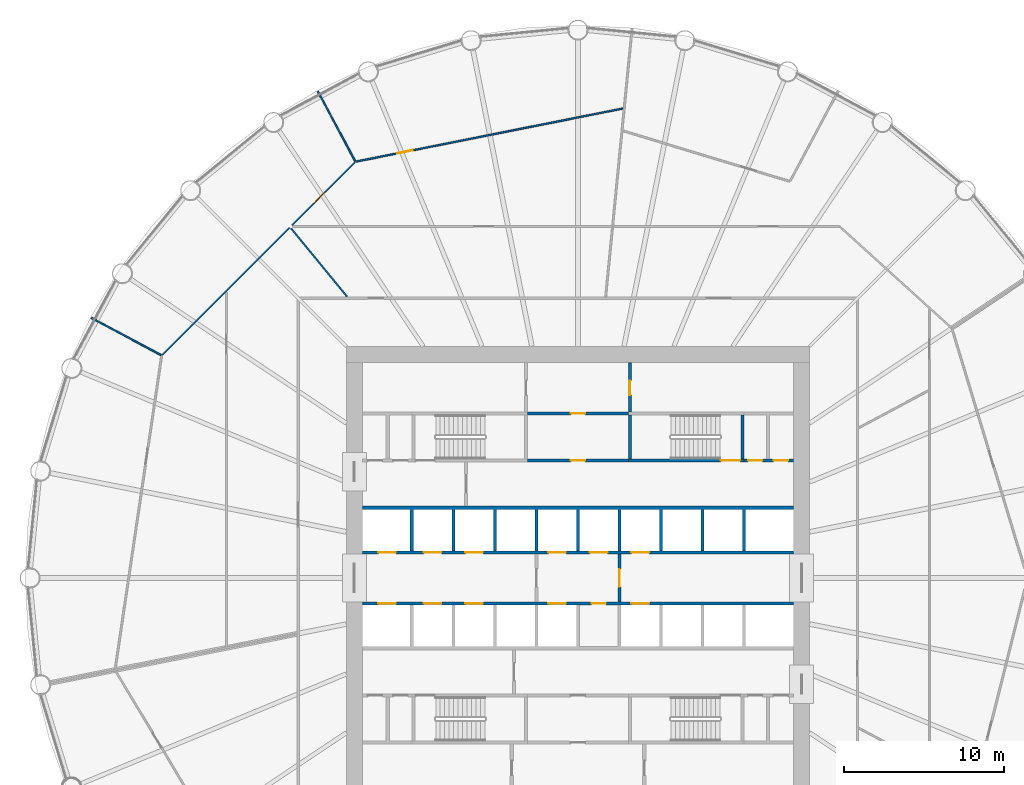
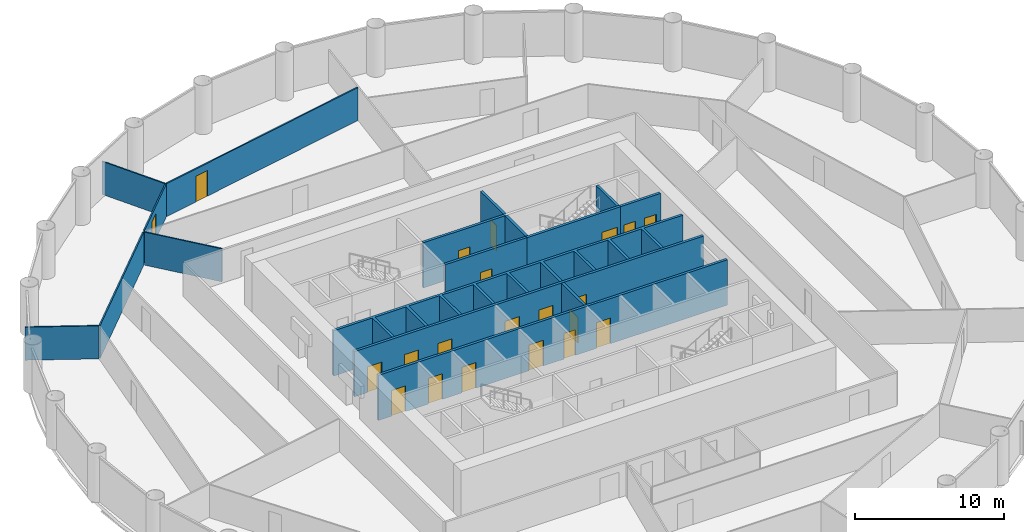
# One storey, part 6 of 8: 21 doors, 17 walls, 21 openings.
"""IFC4 building model written with IfcOpenShell, lengths in metres."""

import ifcopenshell
import ifcopenshell.guid

model = None  # the IFC model being written
_history = None  # IfcOwnerHistory: only IFC2X3 demands one
_inside = {}  # id of a spatial element -> (the spatial element, [elements in it])
_under = {}  # id of a project, library or spatial element -> (it, [spatial elements below it])
_declared = {}  # id of a project -> (the project, [libraries it declares])
_typed = {}  # id of a type object -> (the type object, [elements of that type])
_made_of = {}  # id of a material, layer set ... -> (it, [elements and type objects made of it])


def new_model(schema):
    """Start an empty IFC model of exactly this schema.

    Asked for "IFC4X3", IfcOpenShell would pick the latest addendum, in which some entities
    have other attributes; the version numbers below select the first issue.
    IFC2X3 requires an IfcOwnerHistory on every rooted entity: one is made here for all.
    """
    global model, _history
    if schema == "IFC4X3":
        model = ifcopenshell.file(schema_version=(4, 3, 0, 0))
    else:
        model = ifcopenshell.file(schema=schema)
    _inside.clear()
    _under.clear()
    _declared.clear()
    _typed.clear()
    _made_of.clear()
    _history = None
    if model.schema == "IFC2X3":
        org = make("IfcOrganization", Name="unknown")
        user = make(
            "IfcPersonAndOrganization",
            ThePerson=make("IfcPerson", FamilyName="unknown"),
            TheOrganization=org,
        )
        app = make(
            "IfcApplication",
            ApplicationDeveloper=org,
            Version="unknown",
            ApplicationFullName="unknown",
            ApplicationIdentifier="unknown",
        )
        _history = make(
            "IfcOwnerHistory",
            OwningUser=user,
            OwningApplication=app,
            ChangeAction="ADDED",
            CreationDate=0,
        )
    return model


def make(cls, **values):
    """One entity of the class cls with the attributes given. An attribute that is None is left unset."""
    return model.create_entity(
        cls, **{name: value for name, value in values.items() if value is not None}
    )


def rooted(cls, **values):
    """An entity with a GlobalId (a new one), such as an element, a storey or a relation."""
    return make(cls, GlobalId=ifcopenshell.guid.new(), OwnerHistory=_history, **values)


def si_unit(unit_type, name, prefix=None):
    """IfcSIUnit, for example si_unit("LENGTHUNIT", "METRE", prefix="MILLI")."""
    return make("IfcSIUnit", UnitType=unit_type, Prefix=prefix, Name=name)


def assignment(units):
    """IfcUnitAssignment: the units of a project."""
    return None if units is None else make("IfcUnitAssignment", Units=units)


def point(xyz):
    """IfcCartesianPoint."""
    return None if xyz is None else make("IfcCartesianPoint", Coordinates=xyz)


def direction(xyz):
    """IfcDirection."""
    return None if xyz is None else make("IfcDirection", DirectionRatios=xyz)


def frame(location, z_axis=None, x_axis=None):
    """IfcAxis2Placement3D, a coordinate frame: its origin and axes. An axis left out is left unset."""
    return make(
        "IfcAxis2Placement3D",
        Location=point(location),
        Axis=direction(z_axis),
        RefDirection=direction(x_axis),
    )


def frame_2d(location, x_axis=None):
    """IfcAxis2Placement2D, a coordinate frame in the plane: its origin and x axis."""
    return make(
        "IfcAxis2Placement2D", Location=point(location), RefDirection=direction(x_axis)
    )


def origin():
    """The frame at (0, 0, 0) with its axes left unset."""
    return frame((0.0, 0.0, 0.0))


def place(relative_to, where):
    """IfcLocalPlacement: puts the frame where relative to a parent placement (None: the world)."""
    return make(
        "IfcLocalPlacement", PlacementRelTo=relative_to, RelativePlacement=where
    )


def context(
    kind, dimensions, precision=None, world=None, true_north=None, identifier=None
):
    """IfcGeometricRepresentationContext, for example the 3D "Model" context."""
    return make(
        "IfcGeometricRepresentationContext",
        ContextIdentifier=identifier,
        ContextType=kind,
        CoordinateSpaceDimension=dimensions,
        Precision=precision,
        WorldCoordinateSystem=world,
        TrueNorth=true_north,
    )


def subcontext(parent, identifier, kind, view, scale=None):
    """IfcGeometricRepresentationSubContext, for example "Body" below "Model"."""
    return make(
        "IfcGeometricRepresentationSubContext",
        ContextIdentifier=identifier,
        ContextType=kind,
        ParentContext=parent,
        TargetScale=scale,
        TargetView=view,
    )


def project(units=None, contexts=None):
    """IfcProject with its units and contexts."""
    return rooted(
        "IfcProject",
        Name="project",
        RepresentationContexts=contexts,
        UnitsInContext=assignment(units),
    )


def spatial(cls, under=None, at=None, **own):
    """A site, building, storey or space (cls), placed at a placement, below another one or the project."""
    s = rooted(cls, ObjectPlacement=at, **own)
    if under is not None:
        _under.setdefault(under.id(), (under, []))[1].append(s)
    return s


def polyline(points):
    """IfcPolyline through the points."""
    return make("IfcPolyline", Points=[point(p) for p in points])


def profile(cls, at=None, kind="AREA", **sizes):
    """A parametric profile (cls). Its sizes go by their IFC names, for example OverallWidth=200.0."""
    return make(cls, ProfileType=kind, Position=at, **sizes)


def rectangle(**sizes):
    """IfcRectangleProfileDef."""
    return profile("IfcRectangleProfileDef", **sizes)


def outline(outer, holes=None, kind="AREA"):
    """IfcArbitraryClosedProfileDef: a profile drawn as a closed curve; with holes, ...WithVoids."""
    if holes is None:
        return make("IfcArbitraryClosedProfileDef", ProfileType=kind, OuterCurve=outer)
    return make(
        "IfcArbitraryProfileDefWithVoids",
        ProfileType=kind,
        OuterCurve=outer,
        InnerCurves=holes,
    )


def extrude(swept, where, along, depth):
    """IfcExtrudedAreaSolid: the profile swept, set in the frame where, extruded along a direction by depth."""
    return make(
        "IfcExtrudedAreaSolid",
        SweptArea=swept,
        Position=where,
        ExtrudedDirection=direction(along),
        Depth=depth,
    )


def shape(context_of_items, identifier, shape_type, items):
    """IfcShapeRepresentation: the items that make up one representation, for example the "Body"."""
    return make(
        "IfcShapeRepresentation",
        ContextOfItems=context_of_items,
        RepresentationIdentifier=identifier,
        RepresentationType=shape_type,
        Items=items,
    )


def material(Name=None, Category=None):
    """IfcMaterial."""
    return make("IfcMaterial", Name=Name, Category=Category)


def layer(
    of_material, thickness, ventilated=None, Name=None, Category=None, Priority=None
):
    """IfcMaterialLayer: one layer of a wall or slab, of a material (None: an air gap)."""
    return make(
        "IfcMaterialLayer",
        Material=of_material,
        LayerThickness=thickness,
        IsVentilated=ventilated,
        Name=Name,
        Category=Category,
        Priority=Priority,
    )


def layer_set(layers, Name=None):
    """IfcMaterialLayerSet."""
    return make("IfcMaterialLayerSet", MaterialLayers=layers, LayerSetName=Name)


def made_of(thing, what):
    """Note that an element or type object is made of a material, layer set ...; save() writes the relation."""
    if what is not None:
        _made_of.setdefault(what.id(), (what, []))[1].append(thing)
    return thing


def type_object(cls, material=None, **own):
    """A type object (cls), such as IfcWallType, which elements share."""
    return made_of(rooted(cls, **own), material)


def element(
    cls,
    number,
    at=None,
    inside=None,
    cuts=None,
    type_object=None,
    material=None,
    context=None,
    identifier="Body",
    shape_type=None,
    held_by="IfcProductDefinitionShape",
    body=None,
    shapes=None,
    **own,
):
    """One element of the class cls, such as IfcWall. Its Tag is "e" and its number.

    at: its placement. inside: the storey or other place that contains it. cuts: it is an
    opening in that element (IfcRelVoidsElement). A single representation is given by context,
    identifier, shape_type and body (its items); several are given by shapes. held_by: the class
    of the entity that holds the representations. save() writes the other relations.
    """
    e = rooted(cls, Tag="e%d" % number, ObjectPlacement=at, **own)
    if body is not None:
        shapes = [shape(context, identifier, shape_type, body)]
    if shapes is not None:
        e.Representation = make(held_by, Representations=shapes)
    if inside is not None:
        _inside.setdefault(inside.id(), (inside, []))[1].append(e)
    if cuts is not None:
        rooted(
            "IfcRelVoidsElement", RelatingBuildingElement=cuts, RelatedOpeningElement=e
        )
    if type_object is not None:
        _typed.setdefault(type_object.id(), (type_object, []))[1].append(e)
    return made_of(e, material)


def fill(opening, filler):
    """IfcRelFillsElement: the door or window that sits in an opening."""
    return rooted(
        "IfcRelFillsElement",
        RelatingOpeningElement=opening,
        RelatedBuildingElement=filler,
    )


def aggregate(whole, parts):
    """IfcRelAggregates: a whole, such as a stair, and the parts it consists of."""
    return rooted("IfcRelAggregates", RelatingObject=whole, RelatedObjects=parts)


def save(model, path):
    """Write the relations noted so far, then the file.

    IfcRelAggregates (storeys below a building ...), IfcRelContainedInSpatialStructure (elements
    in a storey), IfcRelDefinesByType, IfcRelAssociatesMaterial and IfcRelDeclares: one each for
    every whole, place, type object, material and project.
    """
    for whole, parts in _under.values():
        aggregate(whole, parts)
    for where, things in _inside.values():
        rooted(
            "IfcRelContainedInSpatialStructure",
            RelatedElements=things,
            RelatingStructure=where,
        )
    for kind, things in _typed.values():
        rooted("IfcRelDefinesByType", RelatedObjects=things, RelatingType=kind)
    for what, things in _made_of.values():
        rooted("IfcRelAssociatesMaterial", RelatedObjects=things, RelatingMaterial=what)
    for by, libraries in _declared.values():
        rooted("IfcRelDeclares", RelatingContext=by, RelatedDefinitions=libraries)
    model.write(path)


model = new_model("IFC4")

# Units and contexts
model_context = context("Model", 3, precision=1e-05, world=origin(), true_north=direction((0.0, 1.0)))
body_context = subcontext(model_context, "Body", "Model", "MODEL_VIEW")
ifc_project = project(units=[si_unit("LENGTHUNIT", "METRE"), si_unit("AREAUNIT", "SQUARE_METRE"), si_unit("VOLUMEUNIT", "CUBIC_METRE"), si_unit("PLANEANGLEUNIT", "RADIAN"), si_unit("MASSUNIT", "GRAM", prefix="KILO")], contexts=[model_context])

# Site, building, storey
site_placement = place(None, origin())
site = spatial("IfcSite", under=ifc_project, at=site_placement, CompositionType="ELEMENT")
building_placement = place(site_placement, origin())
building = spatial("IfcBuilding", under=site, at=building_placement, Name="Corvane Civic Tower", CompositionType="ELEMENT")
storey_placement = place(building_placement, frame((0.0, 0.0, 122.5)))
storey = spatial("IfcBuildingStorey", under=building, at=storey_placement, Name="L28", CompositionType="ELEMENT", Elevation=122.5)

# Wall, openings, doors
ifc_material_1 = material(Name="Concrete C30/37", Category="concrete")
ifc_layer_1 = layer(ifc_material_1, 0.199951171875)
ifc_layer_set_1 = layer_set([ifc_layer_1], Name="Concrete C30/37")
wall_type_1 = type_object("IfcWallType", Name="CR-WALL-200", PredefinedType="PARTITIONING", material=ifc_layer_set_1)
wall_1_placement = place(storey_placement, frame((-13.5, -1.60009765625, 0.0), z_axis=(0.0, 0.0, 1.0), x_axis=(1.0, 0.0, 0.0)))
wall_1 = element("IfcWall", 1, at=wall_1_placement, inside=storey, type_object=wall_type_1, Name="L28 lift shaft wall", PredefinedType="PARTITIONING", context=body_context, shape_type="SweptSolid", body=[
    extrude(rectangle(XDim=27.0, YDim=0.199951171875, at=frame_2d((13.5, 0.0))), origin(), (0.0, 0.0, 1.0), 3.699951171875),
])
opening_1_placement = place(wall_1_placement, frame((1.0, 0.0, 0.0)))
opening_1 = element("IfcOpeningElement", 2, at=opening_1_placement, cuts=wall_1, Name="Opening LD", PredefinedType="OPENING", context=body_context, shape_type="SweptSolid", body=[
    extrude(rectangle(XDim=1.10009765625, YDim=2.10009765625, at=frame_2d((0.550048828125, 1.050048828125))), frame((0.0, 0.10986328125, 0.0), z_axis=(0.0, -1.0, 0.0), x_axis=(1.0, 0.0, 0.0)), (0.0, 0.0, 1.0), 0.219970703125),
])
opening_2_placement = place(wall_1_placement, frame((3.85009765625, 0.0, 0.0)))
opening_2 = element("IfcOpeningElement", 3, at=opening_2_placement, cuts=wall_1, Name="Opening LD", PredefinedType="OPENING", context=body_context, shape_type="SweptSolid", body=[
    extrude(rectangle(XDim=1.10009765625, YDim=2.10009765625, at=frame_2d((0.550048828125, 1.050048828125))), frame((0.0, 0.10986328125, 0.0), z_axis=(0.0, -1.0, 0.0), x_axis=(1.0, 0.0, 0.0)), (0.0, 0.0, 1.0), 0.219970703125),
])
opening_3_placement = place(wall_1_placement, frame((6.449951171875, 0.0, 0.0)))
opening_3 = element("IfcOpeningElement", 4, at=opening_3_placement, cuts=wall_1, Name="Opening LD", PredefinedType="OPENING", context=body_context, shape_type="SweptSolid", body=[
    extrude(rectangle(XDim=1.10009765625, YDim=2.10009765625, at=frame_2d((0.550048828125, 1.050048828125))), frame((0.0, 0.10986328125, 0.0), z_axis=(0.0, -1.0, 0.0), x_axis=(1.0, 0.0, 0.0)), (0.0, 0.0, 1.0), 0.219970703125),
])
opening_4_placement = place(wall_1_placement, frame((11.64990234375, 0.0, 0.0)))
opening_4 = element("IfcOpeningElement", 5, at=opening_4_placement, cuts=wall_1, Name="Opening LD", PredefinedType="OPENING", context=body_context, shape_type="SweptSolid", body=[
    extrude(rectangle(XDim=1.10009765625, YDim=2.10009765625, at=frame_2d((0.550048828125, 1.050048828125))), frame((0.0, 0.10986328125, 0.0), z_axis=(0.0, -1.0, 0.0), x_axis=(1.0, 0.0, 0.0)), (0.0, 0.0, 1.0), 0.219970703125),
])
opening_5_placement = place(wall_1_placement, frame((14.35009765625, 0.0, 0.0)))
opening_5 = element("IfcOpeningElement", 6, at=opening_5_placement, cuts=wall_1, Name="Opening L28.C01", PredefinedType="OPENING", context=body_context, shape_type="SweptSolid", body=[
    extrude(rectangle(XDim=0.89990234375, YDim=2.10009765625, at=frame_2d((0.449951171875, 1.050048828125))), frame((0.0, 0.10986328125, 0.0), z_axis=(0.0, -1.0, 0.0), x_axis=(1.0, 0.0, 0.0)), (0.0, 0.0, 1.0), 0.219970703125),
])
opening_6_placement = place(wall_1_placement, frame((16.85009765625, 0.0, 0.0)))
opening_6 = element("IfcOpeningElement", 7, at=opening_6_placement, cuts=wall_1, Name="Opening LD", PredefinedType="OPENING", context=body_context, shape_type="SweptSolid", body=[
    extrude(rectangle(XDim=1.10009765625, YDim=2.10009765625, at=frame_2d((0.550048828125, 1.050048828125))), frame((0.0, 0.10986328125, 0.0), z_axis=(0.0, -1.0, 0.0), x_axis=(1.0, 0.0, 0.0)), (0.0, 0.0, 1.0), 0.219970703125),
])
ifc_material_2 = material(Name="Steel fire door leaf", Category="steel")
door_type_1 = type_object("IfcDoorType", Name="CR-DOOR-900", OperationType="SINGLE_SWING_LEFT", PredefinedType="DOOR", material=ifc_material_2)
door_1_placement = place(opening_5_placement, origin())
door_1 = element("IfcDoor", 8, at=door_1_placement, inside=storey, type_object=door_type_1, Name="L28 door", OperationType="SINGLE_SWING_LEFT", OverallHeight=2.10009765625, OverallWidth=0.89990234375, PredefinedType="DOOR", context=body_context, shape_type="SweptSolid", body=[
    extrude(rectangle(XDim=0.89990234375, YDim=2.10009765625, at=frame_2d((0.449951171875, 1.050048828125))), frame((0.0, 0.02490234375, 0.0), z_axis=(0.0, -1.0, 0.0), x_axis=(1.0, 0.0, 0.0)), (0.0, 0.0, 1.0), 0.050048828125),
])
fill(opening_5, door_1)
ifc_material_3 = material(Name="Stainless steel 316 door leaves", Category="steel")
door_type_2 = type_object("IfcDoorType", Name="LD", OperationType="DOUBLE_DOOR_SLIDING", PredefinedType="DOOR", material=ifc_material_3)
door_2_placement = place(opening_1_placement, origin())
door_2 = element("IfcDoor", 9, at=door_2_placement, inside=storey, type_object=door_type_2, Name="L28 landing door", OperationType="DOUBLE_DOOR_SLIDING", OverallHeight=2.10009765625, OverallWidth=1.10009765625, PredefinedType="DOOR", context=body_context, shape_type="SweptSolid", body=[
    extrude(rectangle(XDim=1.10009765625, YDim=2.10009765625, at=frame_2d((0.550048828125, 1.050048828125))), frame((0.0, 0.02490234375, 0.0), z_axis=(0.0, -1.0, 0.0), x_axis=(1.0, 0.0, 0.0)), (0.0, 0.0, 1.0), 0.050048828125),
])
fill(opening_1, door_2)
door_3_placement = place(opening_2_placement, origin())
door_3 = element("IfcDoor", 10, at=door_3_placement, inside=storey, type_object=door_type_2, Name="L28 landing door", OperationType="DOUBLE_DOOR_SLIDING", OverallHeight=2.10009765625, OverallWidth=1.10009765625, PredefinedType="DOOR", context=body_context, shape_type="SweptSolid", body=[
    extrude(rectangle(XDim=1.10009765625, YDim=2.10009765625, at=frame_2d((0.550048828125, 1.050048828125))), frame((0.0, 0.02490234375, 0.0), z_axis=(0.0, -1.0, 0.0), x_axis=(1.0, 0.0, 0.0)), (0.0, 0.0, 1.0), 0.050048828125),
])
fill(opening_2, door_3)
door_4_placement = place(opening_3_placement, origin())
door_4 = element("IfcDoor", 11, at=door_4_placement, inside=storey, type_object=door_type_2, Name="L28 landing door", OperationType="DOUBLE_DOOR_SLIDING", OverallHeight=2.10009765625, OverallWidth=1.10009765625, PredefinedType="DOOR", context=body_context, shape_type="SweptSolid", body=[
    extrude(rectangle(XDim=1.10009765625, YDim=2.10009765625, at=frame_2d((0.550048828125, 1.050048828125))), frame((0.0, 0.02490234375, 0.0), z_axis=(0.0, -1.0, 0.0), x_axis=(1.0, 0.0, 0.0)), (0.0, 0.0, 1.0), 0.050048828125),
])
fill(opening_3, door_4)
door_5_placement = place(opening_4_placement, origin())
door_5 = element("IfcDoor", 12, at=door_5_placement, inside=storey, type_object=door_type_2, Name="L28 landing door", OperationType="DOUBLE_DOOR_SLIDING", OverallHeight=2.10009765625, OverallWidth=1.10009765625, PredefinedType="DOOR", context=body_context, shape_type="SweptSolid", body=[
    extrude(rectangle(XDim=1.10009765625, YDim=2.10009765625, at=frame_2d((0.550048828125, 1.050048828125))), frame((0.0, 0.02490234375, 0.0), z_axis=(0.0, -1.0, 0.0), x_axis=(1.0, 0.0, 0.0)), (0.0, 0.0, 1.0), 0.050048828125),
])
fill(opening_4, door_5)
door_6_placement = place(opening_6_placement, origin())
door_6 = element("IfcDoor", 13, at=door_6_placement, inside=storey, type_object=door_type_2, Name="L28 landing door", OperationType="DOUBLE_DOOR_SLIDING", OverallHeight=2.10009765625, OverallWidth=1.10009765625, PredefinedType="DOOR", context=body_context, shape_type="SweptSolid", body=[
    extrude(rectangle(XDim=1.10009765625, YDim=2.10009765625, at=frame_2d((0.550048828125, 1.050048828125))), frame((0.0, 0.02490234375, 0.0), z_axis=(0.0, -1.0, 0.0), x_axis=(1.0, 0.0, 0.0)), (0.0, 0.0, 1.0), 0.050048828125),
])
fill(opening_6, door_6)

wall_2_placement = place(storey_placement, frame((-13.5, 1.60009765625, 0.0), z_axis=(0.0, 0.0, 1.0), x_axis=(1.0, 0.0, 0.0)))
wall_2 = element("IfcWall", 14, at=wall_2_placement, inside=storey, type_object=wall_type_1, Name="L28 lift shaft wall", PredefinedType="PARTITIONING", context=body_context, shape_type="SweptSolid", body=[
    extrude(rectangle(XDim=27.0, YDim=0.199951171875, at=frame_2d((13.5, 0.0))), origin(), (0.0, 0.0, 1.0), 3.699951171875),
])
opening_7_placement = place(wall_2_placement, frame((1.0, 0.0, 0.0)))
opening_7 = element("IfcOpeningElement", 15, at=opening_7_placement, cuts=wall_2, Name="Opening LD", PredefinedType="OPENING", context=body_context, shape_type="SweptSolid", body=[
    extrude(rectangle(XDim=1.10009765625, YDim=2.10009765625, at=frame_2d((0.550048828125, 1.050048828125))), frame((0.0, 0.10986328125, 0.0), z_axis=(0.0, -1.0, 0.0), x_axis=(1.0, 0.0, 0.0)), (0.0, 0.0, 1.0), 0.219970703125),
])
opening_8_placement = place(wall_2_placement, frame((3.85009765625, 0.0, 0.0)))
opening_8 = element("IfcOpeningElement", 16, at=opening_8_placement, cuts=wall_2, Name="Opening LD", PredefinedType="OPENING", context=body_context, shape_type="SweptSolid", body=[
    extrude(rectangle(XDim=1.10009765625, YDim=2.10009765625, at=frame_2d((0.550048828125, 1.050048828125))), frame((0.0, 0.10986328125, 0.0), z_axis=(0.0, -1.0, 0.0), x_axis=(1.0, 0.0, 0.0)), (0.0, 0.0, 1.0), 0.219970703125),
])
opening_9_placement = place(wall_2_placement, frame((6.449951171875, 0.0, 0.0)))
opening_9 = element("IfcOpeningElement", 17, at=opening_9_placement, cuts=wall_2, Name="Opening LD", PredefinedType="OPENING", context=body_context, shape_type="SweptSolid", body=[
    extrude(rectangle(XDim=1.10009765625, YDim=2.10009765625, at=frame_2d((0.550048828125, 1.050048828125))), frame((0.0, 0.10986328125, 0.0), z_axis=(0.0, -1.0, 0.0), x_axis=(1.0, 0.0, 0.0)), (0.0, 0.0, 1.0), 0.219970703125),
])
opening_10_placement = place(wall_2_placement, frame((11.64990234375, 0.0, 0.0)))
opening_10 = element("IfcOpeningElement", 18, at=opening_10_placement, cuts=wall_2, Name="Opening LD", PredefinedType="OPENING", context=body_context, shape_type="SweptSolid", body=[
    extrude(rectangle(XDim=1.10009765625, YDim=2.10009765625, at=frame_2d((0.550048828125, 1.050048828125))), frame((0.0, 0.10986328125, 0.0), z_axis=(0.0, -1.0, 0.0), x_axis=(1.0, 0.0, 0.0)), (0.0, 0.0, 1.0), 0.219970703125),
])
opening_11_placement = place(wall_2_placement, frame((14.25, 0.0, 0.0)))
opening_11 = element("IfcOpeningElement", 19, at=opening_11_placement, cuts=wall_2, Name="Opening LD", PredefinedType="OPENING", context=body_context, shape_type="SweptSolid", body=[
    extrude(rectangle(XDim=1.10009765625, YDim=2.10009765625, at=frame_2d((0.550048828125, 1.050048828125))), frame((0.0, 0.10986328125, 0.0), z_axis=(0.0, -1.0, 0.0), x_axis=(1.0, 0.0, 0.0)), (0.0, 0.0, 1.0), 0.219970703125),
])
opening_12_placement = place(wall_2_placement, frame((16.85009765625, 0.0, 0.0)))
opening_12 = element("IfcOpeningElement", 20, at=opening_12_placement, cuts=wall_2, Name="Opening LD", PredefinedType="OPENING", context=body_context, shape_type="SweptSolid", body=[
    extrude(rectangle(XDim=1.10009765625, YDim=2.10009765625, at=frame_2d((0.550048828125, 1.050048828125))), frame((0.0, 0.10986328125, 0.0), z_axis=(0.0, -1.0, 0.0), x_axis=(1.0, 0.0, 0.0)), (0.0, 0.0, 1.0), 0.219970703125),
])
door_7_placement = place(opening_7_placement, origin())
door_7 = element("IfcDoor", 21, at=door_7_placement, inside=storey, type_object=door_type_2, Name="L28 landing door", OperationType="DOUBLE_DOOR_SLIDING", OverallHeight=2.10009765625, OverallWidth=1.10009765625, PredefinedType="DOOR", context=body_context, shape_type="SweptSolid", body=[
    extrude(rectangle(XDim=1.10009765625, YDim=2.10009765625, at=frame_2d((0.550048828125, 1.050048828125))), frame((0.0, 0.02490234375, 0.0), z_axis=(0.0, -1.0, 0.0), x_axis=(1.0, 0.0, 0.0)), (0.0, 0.0, 1.0), 0.050048828125),
])
fill(opening_7, door_7)
door_8_placement = place(opening_8_placement, origin())
door_8 = element("IfcDoor", 22, at=door_8_placement, inside=storey, type_object=door_type_2, Name="L28 landing door", OperationType="DOUBLE_DOOR_SLIDING", OverallHeight=2.10009765625, OverallWidth=1.10009765625, PredefinedType="DOOR", context=body_context, shape_type="SweptSolid", body=[
    extrude(rectangle(XDim=1.10009765625, YDim=2.10009765625, at=frame_2d((0.550048828125, 1.050048828125))), frame((0.0, 0.02490234375, 0.0), z_axis=(0.0, -1.0, 0.0), x_axis=(1.0, 0.0, 0.0)), (0.0, 0.0, 1.0), 0.050048828125),
])
fill(opening_8, door_8)
door_9_placement = place(opening_9_placement, origin())
door_9 = element("IfcDoor", 23, at=door_9_placement, inside=storey, type_object=door_type_2, Name="L28 landing door", OperationType="DOUBLE_DOOR_SLIDING", OverallHeight=2.10009765625, OverallWidth=1.10009765625, PredefinedType="DOOR", context=body_context, shape_type="SweptSolid", body=[
    extrude(rectangle(XDim=1.10009765625, YDim=2.10009765625, at=frame_2d((0.550048828125, 1.050048828125))), frame((0.0, 0.02490234375, 0.0), z_axis=(0.0, -1.0, 0.0), x_axis=(1.0, 0.0, 0.0)), (0.0, 0.0, 1.0), 0.050048828125),
])
fill(opening_9, door_9)
door_10_placement = place(opening_10_placement, origin())
door_10 = element("IfcDoor", 24, at=door_10_placement, inside=storey, type_object=door_type_2, Name="L28 landing door", OperationType="DOUBLE_DOOR_SLIDING", OverallHeight=2.10009765625, OverallWidth=1.10009765625, PredefinedType="DOOR", context=body_context, shape_type="SweptSolid", body=[
    extrude(rectangle(XDim=1.10009765625, YDim=2.10009765625, at=frame_2d((0.550048828125, 1.050048828125))), frame((0.0, 0.02490234375, 0.0), z_axis=(0.0, -1.0, 0.0), x_axis=(1.0, 0.0, 0.0)), (0.0, 0.0, 1.0), 0.050048828125),
])
fill(opening_10, door_10)
door_11_placement = place(opening_11_placement, origin())
door_11 = element("IfcDoor", 25, at=door_11_placement, inside=storey, type_object=door_type_2, Name="L28 landing door", OperationType="DOUBLE_DOOR_SLIDING", OverallHeight=2.10009765625, OverallWidth=1.10009765625, PredefinedType="DOOR", context=body_context, shape_type="SweptSolid", body=[
    extrude(rectangle(XDim=1.10009765625, YDim=2.10009765625, at=frame_2d((0.550048828125, 1.050048828125))), frame((0.0, 0.02490234375, 0.0), z_axis=(0.0, -1.0, 0.0), x_axis=(1.0, 0.0, 0.0)), (0.0, 0.0, 1.0), 0.050048828125),
])
fill(opening_11, door_11)
door_12_placement = place(opening_12_placement, origin())
door_12 = element("IfcDoor", 26, at=door_12_placement, inside=storey, type_object=door_type_2, Name="L28 landing door", OperationType="DOUBLE_DOOR_SLIDING", OverallHeight=2.10009765625, OverallWidth=1.10009765625, PredefinedType="DOOR", context=body_context, shape_type="SweptSolid", body=[
    extrude(rectangle(XDim=1.10009765625, YDim=2.10009765625, at=frame_2d((0.550048828125, 1.050048828125))), frame((0.0, 0.02490234375, 0.0), z_axis=(0.0, -1.0, 0.0), x_axis=(1.0, 0.0, 0.0)), (0.0, 0.0, 1.0), 0.050048828125),
])
fill(opening_12, door_12)

# Wall, opening, door
wall_3_placement = place(storey_placement, frame((-3.14990234375, 7.35009765625, 0.0), z_axis=(0.0, 0.0, 1.0), x_axis=(1.0, 0.0, 0.0)))
wall_3 = element("IfcWall", 27, at=wall_3_placement, inside=storey, type_object=wall_type_1, Name="L28 core partition wall", PredefinedType="PARTITIONING", context=body_context, shape_type="SweptSolid", body=[
    extrude(rectangle(XDim=6.2998046875, YDim=0.199951171875, at=frame_2d((3.14990234375, 0.0))), origin(), (0.0, 0.0, 1.0), 3.699951171875),
])
opening_13_placement = place(wall_3_placement, frame((2.699951171875, 0.0, 0.0)))
opening_13 = element("IfcOpeningElement", 28, at=opening_13_placement, cuts=wall_3, Name="Opening L28.C02", PredefinedType="OPENING", context=body_context, shape_type="SweptSolid", body=[
    extrude(rectangle(XDim=0.89990234375, YDim=2.10009765625, at=frame_2d((0.449951171875, 1.050048828125))), frame((0.0, 0.10986328125, 0.0), z_axis=(0.0, -1.0, 0.0), x_axis=(1.0, 0.0, 0.0)), (0.0, 0.0, 1.0), 0.219970703125),
])
door_13_placement = place(opening_13_placement, origin())
door_13 = element("IfcDoor", 29, at=door_13_placement, inside=storey, type_object=door_type_1, Name="L28 door", OperationType="SINGLE_SWING_LEFT", OverallHeight=2.10009765625, OverallWidth=0.89990234375, PredefinedType="DOOR", context=body_context, shape_type="SweptSolid", body=[
    extrude(rectangle(XDim=0.89990234375, YDim=2.10009765625, at=frame_2d((0.449951171875, 1.050048828125))), frame((0.0, 0.02490234375, 0.0), z_axis=(0.0, -1.0, 0.0), x_axis=(1.0, 0.0, 0.0)), (0.0, 0.0, 1.0), 0.050048828125),
])
fill(opening_13, door_13)

# Wall, openings, doors
wall_4_placement = place(storey_placement, frame((10.39990234375, 7.35009765625, 0.0), z_axis=(0.0, 0.0, 1.0), x_axis=(1.0, 0.0, 0.0)))
wall_4 = element("IfcWall", 30, at=wall_4_placement, inside=storey, type_object=wall_type_1, Name="L28 core partition wall", PredefinedType="PARTITIONING", context=body_context, shape_type="SweptSolid", body=[
    extrude(rectangle(XDim=3.10009765625, YDim=0.199951171875, at=frame_2d((1.550048828125, 0.0))), origin(), (0.0, 0.0, 1.0), 3.699951171875),
])
opening_14_placement = place(wall_4_placement, frame((0.25, 0.0, 0.0)))
opening_14 = element("IfcOpeningElement", 31, at=opening_14_placement, cuts=wall_4, Name="Opening L28.C14", PredefinedType="OPENING", context=body_context, shape_type="SweptSolid", body=[
    extrude(rectangle(XDim=0.89990234375, YDim=2.10009765625, at=frame_2d((0.449951171875, 1.050048828125))), frame((0.0, 0.10986328125, 0.0), z_axis=(0.0, -1.0, 0.0), x_axis=(1.0, 0.0, 0.0)), (0.0, 0.0, 1.0), 0.219970703125),
])
opening_15_placement = place(wall_4_placement, frame((1.85009765625, 0.0, 0.0)))
opening_15 = element("IfcOpeningElement", 32, at=opening_15_placement, cuts=wall_4, Name="Opening L28.C15", PredefinedType="OPENING", context=body_context, shape_type="SweptSolid", body=[
    extrude(rectangle(XDim=0.89990234375, YDim=2.10009765625, at=frame_2d((0.449951171875, 1.050048828125))), frame((0.0, 0.10986328125, 0.0), z_axis=(0.0, -1.0, 0.0), x_axis=(1.0, 0.0, 0.0)), (0.0, 0.0, 1.0), 0.219970703125),
])
door_14_placement = place(opening_14_placement, origin())
door_14 = element("IfcDoor", 33, at=door_14_placement, inside=storey, type_object=door_type_1, Name="L28 door", OperationType="SINGLE_SWING_LEFT", OverallHeight=2.10009765625, OverallWidth=0.89990234375, PredefinedType="DOOR", context=body_context, shape_type="SweptSolid", body=[
    extrude(rectangle(XDim=0.89990234375, YDim=2.10009765625, at=frame_2d((0.449951171875, 1.050048828125))), frame((0.0, 0.02490234375, 0.0), z_axis=(0.0, -1.0, 0.0), x_axis=(1.0, 0.0, 0.0)), (0.0, 0.0, 1.0), 0.050048828125),
])
fill(opening_14, door_14)
door_15_placement = place(opening_15_placement, origin())
door_15 = element("IfcDoor", 34, at=door_15_placement, inside=storey, type_object=door_type_1, Name="L28 door", OperationType="SINGLE_SWING_LEFT", OverallHeight=2.10009765625, OverallWidth=0.89990234375, PredefinedType="DOOR", context=body_context, shape_type="SweptSolid", body=[
    extrude(rectangle(XDim=0.89990234375, YDim=2.10009765625, at=frame_2d((0.449951171875, 1.050048828125))), frame((0.0, 0.02490234375, 0.0), z_axis=(0.0, -1.0, 0.0), x_axis=(1.0, 0.0, 0.0)), (0.0, 0.0, 1.0), 0.050048828125),
])
fill(opening_15, door_15)

# Wall, opening, door
wall_5_placement = place(storey_placement, frame((-3.14990234375, 10.300048828125, 0.0), z_axis=(0.0, 0.0, 1.0), x_axis=(1.0, 0.0, 0.0)))
wall_5 = element("IfcWall", 35, at=wall_5_placement, inside=storey, type_object=wall_type_1, Name="L28 partition wall", PredefinedType="PARTITIONING", context=body_context, shape_type="SweptSolid", body=[
    extrude(rectangle(XDim=6.2998046875, YDim=0.199951171875, at=frame_2d((3.14990234375, 0.0))), origin(), (0.0, 0.0, 1.0), 3.699951171875),
])
opening_16_placement = place(wall_5_placement, frame((2.699951171875, 0.0, 0.0)))
opening_16 = element("IfcOpeningElement", 36, at=opening_16_placement, cuts=wall_5, Name="Opening L28.C05", PredefinedType="OPENING", context=body_context, shape_type="SweptSolid", body=[
    extrude(rectangle(XDim=0.89990234375, YDim=2.10009765625, at=frame_2d((0.449951171875, 1.050048828125))), frame((0.0, 0.10986328125, 0.0), z_axis=(0.0, -1.0, 0.0), x_axis=(1.0, 0.0, 0.0)), (0.0, 0.0, 1.0), 0.219970703125),
])
door_16_placement = place(opening_16_placement, origin())
door_16 = element("IfcDoor", 37, at=door_16_placement, inside=storey, type_object=door_type_1, Name="L28 door", OperationType="SINGLE_SWING_LEFT", OverallHeight=2.10009765625, OverallWidth=0.89990234375, PredefinedType="DOOR", context=body_context, shape_type="SweptSolid", body=[
    extrude(rectangle(XDim=0.89990234375, YDim=2.10009765625, at=frame_2d((0.449951171875, 1.050048828125))), frame((0.0, 0.02490234375, 0.0), z_axis=(0.0, -1.0, 0.0), x_axis=(1.0, 0.0, 0.0)), (0.0, 0.0, 1.0), 0.050048828125),
])
fill(opening_16, door_16)

wall_6_placement = place(storey_placement, frame((2.60009765625, -1.5, 0.0), z_axis=(0.0, 0.0, 1.0), x_axis=(0.0, 1.0, 0.0)))
wall_6 = element("IfcWall", 38, at=wall_6_placement, inside=storey, type_object=wall_type_1, Name="L28 firefighting lobby wall", PredefinedType="PARTITIONING", context=body_context, shape_type="SweptSolid", body=[
    extrude(rectangle(XDim=3.0, YDim=0.199951171875, at=frame_2d((1.5, 0.0))), origin(), (0.0, 0.0, 1.0), 3.699951171875),
])
opening_17_placement = place(wall_6_placement, frame((0.949951171875, 0.0, 0.0)))
opening_17 = element("IfcOpeningElement", 39, at=opening_17_placement, cuts=wall_6, Name="Opening L28.C23", PredefinedType="OPENING", context=body_context, shape_type="SweptSolid", body=[
    extrude(rectangle(XDim=1.10009765625, YDim=2.10009765625, at=frame_2d((0.550048828125, 1.050048828125))), frame((0.0, 0.10986328125, 0.0), z_axis=(0.0, -1.0, 0.0), x_axis=(1.0, 0.0, 0.0)), (0.0, 0.0, 1.0), 0.219970703125),
])
ifc_material_4 = material(Name="Steel fire door leaf", Category="steel")
door_type_3 = type_object("IfcDoorType", Name="CR-DOOR-FFL-1100", OperationType="SINGLE_SWING_LEFT", PredefinedType="DOOR", material=ifc_material_4)
door_17_placement = place(opening_17_placement, origin())
door_17 = element("IfcDoor", 40, at=door_17_placement, inside=storey, type_object=door_type_3, Name="L28 lobby door", OperationType="SINGLE_SWING_LEFT", OverallHeight=2.10009765625, OverallWidth=1.10009765625, PredefinedType="DOOR", context=body_context, shape_type="SweptSolid", body=[
    extrude(rectangle(XDim=1.10009765625, YDim=2.10009765625, at=frame_2d((0.550048828125, 1.050048828125))), frame((0.0, 0.02490234375, 0.0), z_axis=(0.0, -1.0, 0.0), x_axis=(1.0, 0.0, 0.0)), (0.0, 0.0, 1.0), 0.050048828125),
])
fill(opening_17, door_17)

wall_7_placement = place(storey_placement, frame((3.25, 10.39990234375, 0.0), z_axis=(0.0, 0.0, 1.0), x_axis=(0.0, 1.0, 0.0)))
wall_7 = element("IfcWall", 41, at=wall_7_placement, inside=storey, type_object=wall_type_1, Name="L28 partition wall", PredefinedType="PARTITIONING", context=body_context, shape_type="SweptSolid", body=[
    extrude(rectangle(XDim=3.10009765625, YDim=0.199951171875, at=frame_2d((1.550048828125, 0.0))), origin(), (0.0, 0.0, 1.0), 3.699951171875),
])
opening_18_placement = place(wall_7_placement, frame((1.050048828125, 0.0, 0.0)))
opening_18 = element("IfcOpeningElement", 42, at=opening_18_placement, cuts=wall_7, Name="Opening L28.C06", PredefinedType="OPENING", context=body_context, shape_type="SweptSolid", body=[
    extrude(rectangle(XDim=0.89990234375, YDim=2.10009765625, at=frame_2d((0.449951171875, 1.050048828125))), frame((0.0, 0.10986328125, 0.0), z_axis=(0.0, -1.0, 0.0), x_axis=(1.0, 0.0, 0.0)), (0.0, 0.0, 1.0), 0.219970703125),
])
door_18_placement = place(opening_18_placement, origin())
door_18 = element("IfcDoor", 43, at=door_18_placement, inside=storey, type_object=door_type_1, Name="L28 door", OperationType="SINGLE_SWING_LEFT", OverallHeight=2.10009765625, OverallWidth=0.89990234375, PredefinedType="DOOR", context=body_context, shape_type="SweptSolid", body=[
    extrude(rectangle(XDim=0.89990234375, YDim=2.10009765625, at=frame_2d((0.449951171875, 1.050048828125))), frame((0.0, 0.02490234375, 0.0), z_axis=(0.0, -1.0, 0.0), x_axis=(1.0, 0.0, 0.0)), (0.0, 0.0, 1.0), 0.050048828125),
])
fill(opening_18, door_18)

# Walls
wall_8_placement = place(storey_placement, origin())
element("IfcWall", 44, at=wall_8_placement, inside=storey, type_object=wall_type_1, Name="L28 core partition wall", PredefinedType="PARTITIONING", context=body_context, shape_type="SweptSolid", body=[
    extrude(outline(polyline([(-10.300048828125, 1.699951171875), (-10.5, 1.699951171875), (-10.5, 4.300048828125), (-13.5, 4.300048828125), (-13.5, 4.5), (13.5, 4.5), (13.5, 4.300048828125), (10.5, 4.300048828125), (10.5, 1.699951171875), (10.300048828125, 1.699951171875), (10.300048828125, 4.300048828125), (7.89990234375, 4.300048828125), (7.89990234375, 1.699951171875), (7.699951171875, 1.699951171875), (7.699951171875, 4.300048828125), (5.300048828125, 4.300048828125), (5.300048828125, 1.699951171875), (5.10009765625, 1.699951171875), (5.10009765625, 4.300048828125), (2.699951171875, 4.300048828125), (2.699951171875, 1.699951171875), (2.5, 1.699951171875), (2.5, 4.300048828125), (0.10009765625, 4.300048828125), (0.10009765625, 1.699951171875), (-0.10009765625, 1.699951171875), (-0.10009765625, 4.300048828125), (-2.5, 4.300048828125), (-2.5, 1.699951171875), (-2.699951171875, 1.699951171875), (-2.699951171875, 4.300048828125), (-5.10009765625, 4.300048828125), (-5.10009765625, 1.699951171875), (-5.300048828125, 1.699951171875), (-5.300048828125, 4.300048828125), (-7.699951171875, 4.300048828125), (-7.699951171875, 1.699951171875), (-7.89990234375, 1.699951171875), (-7.89990234375, 4.300048828125), (-10.300048828125, 4.300048828125), (-10.300048828125, 1.699951171875)])), origin(), (0.0, 0.0, 1.0), 3.699951171875),
])
ifc_material_5 = material(Name="Plasterboard")
ifc_layer_2 = layer(ifc_material_5, 0.10009765625)
ifc_layer_set_2 = layer_set([ifc_layer_2], Name="Plasterboard")
wall_type_2 = type_object("IfcWallType", Name="Partition 100 plasterboard on studs", PredefinedType="PARTITIONING", material=ifc_layer_set_2)
wall_9_placement = place(storey_placement, frame((-30.470458984375, 16.286865234375, 0.0), z_axis=(0.0, 0.0, 1.0), x_axis=(0.881920046469, -0.471399015311, 0.0)))
element("IfcWall", 45, at=wall_9_placement, inside=storey, type_object=wall_type_2, Name="Partition L28.028", PredefinedType="PARTITIONING", context=body_context, shape_type="SweptSolid", body=[
    extrude(rectangle(XDim=4.96875, YDim=0.10009765625, at=frame_2d((2.484375, 0.0))), origin(), (0.0, 0.0, 1.0), 2.699951171875),
])
wall_10_placement = place(storey_placement, frame((-26.029296875, 13.953125, 0.0), z_axis=(0.0, 0.0, 1.0), x_axis=(0.707106781187, 0.707106781187, 0.0)))
element("IfcWall", 46, at=wall_10_placement, inside=storey, type_object=wall_type_2, Name="Partition L28.029", PredefinedType="PARTITIONING", context=body_context, shape_type="SweptSolid", body=[
    extrude(rectangle(XDim=11.278564453125, YDim=0.10009765625, at=frame_2d((5.63916015625, 0.0))), origin(), (0.0, 0.0, 1.0), 2.699951171875),
])
wall_11_placement = place(storey_placement, frame((-17.955322265625, 21.87841796875, 0.0), z_axis=(0.0, 0.0, 1.0), x_axis=(0.634408679779, -0.772997818251, 0.0)))
element("IfcWall", 47, at=wall_11_placement, inside=storey, type_object=wall_type_2, Name="Partition L28.034", PredefinedType="PARTITIONING", context=body_context, shape_type="SweptSolid", body=[
    extrude(rectangle(XDim=5.526123046875, YDim=0.10009765625, at=frame_2d((2.76318359375, 0.0))), origin(), (0.0, 0.0, 1.0), 2.699951171875),
])

# Wall, opening, door
wall_12_placement = place(storey_placement, frame((-17.904296875, 22.078369140625, 0.0), z_axis=(0.0, 0.0, 1.0), x_axis=(0.707128627384, 0.707084934315, 0.0)))
wall_12 = element("IfcWall", 48, at=wall_12_placement, inside=storey, type_object=wall_type_2, Name="Partition L28.037", PredefinedType="PARTITIONING", context=body_context, shape_type="SweptSolid", body=[
    extrude(rectangle(XDim=5.587646484375, YDim=0.10009765625, at=frame_2d((2.7939453125, 0.0))), origin(), (0.0, 0.0, 1.0), 2.699951171875),
])
opening_19_placement = place(wall_12_placement, frame((1.938720703125, 0.0, 0.0)))
opening_19 = element("IfcOpeningElement", 49, at=opening_19_placement, cuts=wall_12, Name="Opening L28.005", PredefinedType="OPENING", context=body_context, shape_type="SweptSolid", body=[
    extrude(rectangle(XDim=1.0, YDim=2.10009765625, at=frame_2d((0.5, 1.050048828125))), frame((0.0, 0.06005859375, 0.0), z_axis=(0.0, -1.0, 0.0), x_axis=(1.0, 0.0, 0.0)), (0.0, 0.0, 1.0), 0.1201171875),
])
ifc_material_6 = material(Name="Timber", Category="wood")
door_type_4 = type_object("IfcDoorType", Name="Single door 1000", OperationType="NOTDEFINED", PredefinedType="DOOR", material=ifc_material_6)
door_19_placement = place(opening_19_placement, origin())
door_19 = element("IfcDoor", 50, at=door_19_placement, inside=storey, type_object=door_type_4, Name="Door L28.005", OperationType="SINGLE_SWING_LEFT", OverallHeight=2.10009765625, OverallWidth=1.0, PredefinedType="DOOR", context=body_context, shape_type="SweptSolid", body=[
    extrude(rectangle(XDim=1.0, YDim=2.10009765625, at=frame_2d((0.5, 1.050048828125))), frame((0.0, 0.02490234375, 0.0), z_axis=(0.0, -1.0, 0.0), x_axis=(1.0, 0.0, 0.0)), (0.0, 0.0, 1.0), 0.050048828125),
])
fill(opening_19, door_19)

wall_13_placement = place(storey_placement, frame((-13.890625, 26.062744140625, 0.0), z_axis=(0.0, 0.0, 1.0), x_axis=(0.980781751957, 0.195108059876, 0.0)))
wall_13 = element("IfcWall", 51, at=wall_13_placement, inside=storey, type_object=wall_type_2, Name="Partition L28.040", PredefinedType="PARTITIONING", context=body_context, shape_type="SweptSolid", body=[
    extrude(rectangle(XDim=17.0478515625, YDim=0.10009765625, at=frame_2d((8.52392578125, 0.0))), origin(), (0.0, 0.0, 1.0), 2.699951171875),
])
opening_20_placement = place(wall_13_placement, frame((2.626953125, 0.0, 0.0)))
opening_20 = element("IfcOpeningElement", 52, at=opening_20_placement, cuts=wall_13, Name="Opening L28.006", PredefinedType="OPENING", context=body_context, shape_type="SweptSolid", body=[
    extrude(rectangle(XDim=1.0, YDim=2.10009765625, at=frame_2d((0.5, 1.050048828125))), frame((0.0, 0.06005859375, 0.0), z_axis=(0.0, -1.0, 0.0), x_axis=(1.0, 0.0, 0.0)), (0.0, 0.0, 1.0), 0.1201171875),
])
door_20_placement = place(opening_20_placement, origin())
door_20 = element("IfcDoor", 53, at=door_20_placement, inside=storey, type_object=door_type_4, Name="Door L28.006", OperationType="SINGLE_SWING_RIGHT", OverallHeight=2.10009765625, OverallWidth=1.0, PredefinedType="DOOR", context=body_context, shape_type="SweptSolid", body=[
    extrude(rectangle(XDim=1.0, YDim=2.10009765625, at=frame_2d((0.5, 1.050048828125))), frame((0.0, 0.02490234375, 0.0), z_axis=(0.0, -1.0, 0.0), x_axis=(1.0, 0.0, 0.0)), (0.0, 0.0, 1.0), 0.050048828125),
])
fill(opening_20, door_20)

# Wall
wall_14_placement = place(storey_placement, frame((-16.286865234375, 30.470458984375, 0.0), z_axis=(0.0, 0.0, 1.0), x_axis=(0.471399015311, -0.881920046469, 0.0)))
element("IfcWall", 54, at=wall_14_placement, inside=storey, type_object=wall_type_2, Name="Partition L28.041", PredefinedType="PARTITIONING", context=body_context, shape_type="SweptSolid", body=[
    extrude(rectangle(XDim=4.96875, YDim=0.10009765625, at=frame_2d((2.484375, 0.0))), origin(), (0.0, 0.0, 1.0), 2.699951171875),
])

# Wall, opening, door
ifc_material_7 = material(Name="Concrete C50/60", Category="concrete")
ifc_layer_3 = layer(ifc_material_7, 0.199951171875)
ifc_layer_set_3 = layer_set([ifc_layer_3], Name="Concrete C50/60")
wall_type_3 = type_object("IfcWallType", Name="ST-WALL-200", PredefinedType="SHEAR", material=ifc_layer_set_3)
wall_15_placement = place(storey_placement, frame((3.14990234375, 7.35009765625, 0.0), z_axis=(0.0, 0.0, 1.0), x_axis=(1.0, 0.0, 0.0)))
wall_15 = element("IfcWall", 55, at=wall_15_placement, inside=storey, type_object=wall_type_3, Name="L28 stair enclosure wall", PredefinedType="SHEAR", context=body_context, shape_type="SweptSolid", body=[
    extrude(rectangle(XDim=7.25, YDim=0.199951171875, at=frame_2d((3.625, 0.0))), origin(), (0.0, 0.0, 1.0), 3.699951171875),
])
opening_21_placement = place(wall_15_placement, frame((5.800048828125, 0.0, 0.0)))
opening_21 = element("IfcOpeningElement", 56, at=opening_21_placement, cuts=wall_15, Name="Opening L28.C18", PredefinedType="OPENING", context=body_context, shape_type="SweptSolid", body=[
    extrude(rectangle(XDim=1.199951171875, YDim=2.10009765625, at=frame_2d((0.60009765625, 1.050048828125))), frame((0.0, 0.10986328125, 0.0), z_axis=(0.0, -1.0, 0.0), x_axis=(1.0, 0.0, 0.0)), (0.0, 0.0, 1.0), 0.219970703125),
])
ifc_material_8 = material(Name="Steel fire door leaf", Category="steel")
door_type_5 = type_object("IfcDoorType", Name="ST-DOOR-1200", OperationType="SINGLE_SWING_RIGHT", PredefinedType="DOOR", material=ifc_material_8)
door_21_placement = place(opening_21_placement, origin())
door_21 = element("IfcDoor", 57, at=door_21_placement, inside=storey, type_object=door_type_5, Name="L28 stair door", OperationType="SINGLE_SWING_RIGHT", OverallHeight=2.10009765625, OverallWidth=1.199951171875, PredefinedType="DOOR", context=body_context, shape_type="SweptSolid", body=[
    extrude(rectangle(XDim=1.199951171875, YDim=2.10009765625, at=frame_2d((0.60009765625, 1.050048828125))), frame((0.0, 0.02490234375, 0.0), z_axis=(0.0, -1.0, 0.0), x_axis=(1.0, 0.0, 0.0)), (0.0, 0.0, 1.0), 0.050048828125),
])
fill(opening_21, door_21)

# Walls
wall_16_placement = place(storey_placement, origin())
element("IfcWall", 58, at=wall_16_placement, inside=storey, type_object=wall_type_3, Name="L28 stair enclosure wall", PredefinedType="SHEAR", context=body_context, shape_type="SweptSolid", body=[
    extrude(outline(polyline([(3.35009765625, 7.449951171875), (3.14990234375, 7.449951171875), (3.14990234375, 10.199951171875), (3.35009765625, 10.199951171875), (3.35009765625, 7.449951171875)])), origin(), (0.0, 0.0, 1.0), 3.699951171875),
])
wall_17_placement = place(storey_placement, origin())
element("IfcWall", 59, at=wall_17_placement, inside=storey, type_object=wall_type_3, Name="L28 stair enclosure wall", PredefinedType="SHEAR", context=body_context, shape_type="SweptSolid", body=[
    extrude(outline(polyline([(10.39990234375, 7.449951171875), (10.199951171875, 7.449951171875), (10.199951171875, 10.199951171875), (10.39990234375, 10.199951171875), (10.39990234375, 7.449951171875)])), origin(), (0.0, 0.0, 1.0), 3.699951171875),
])

save(model, "model.ifc")
